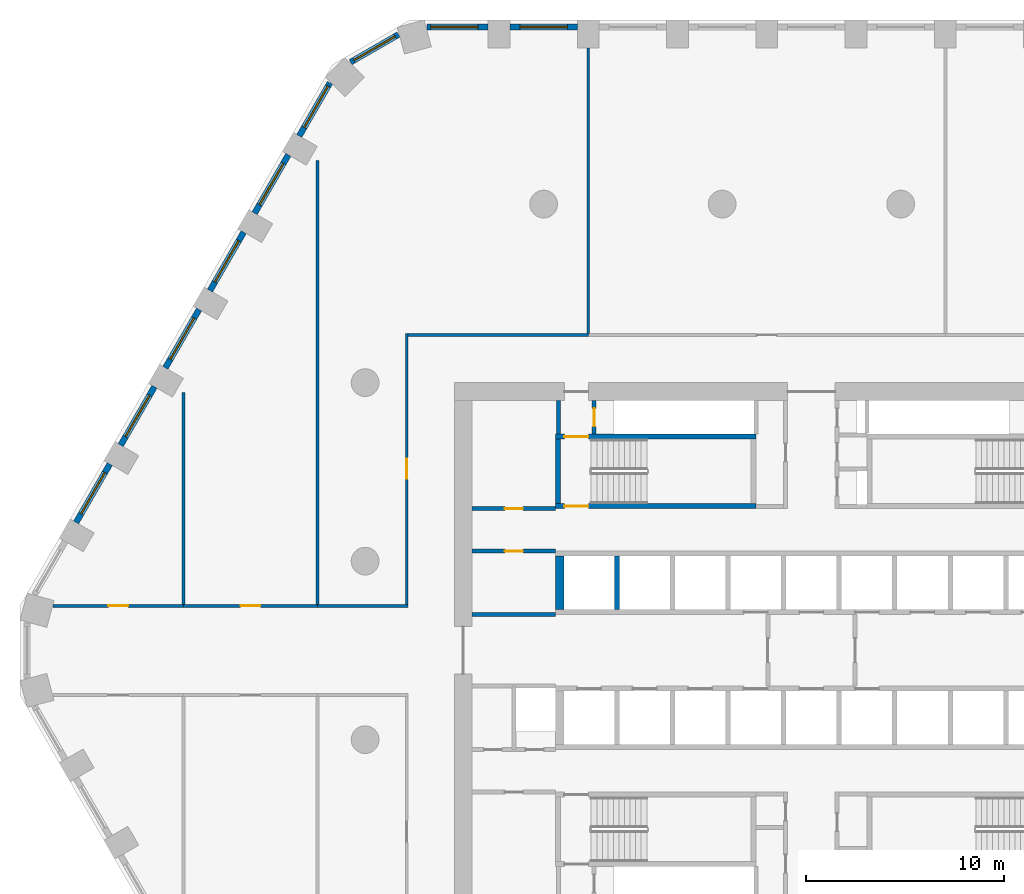
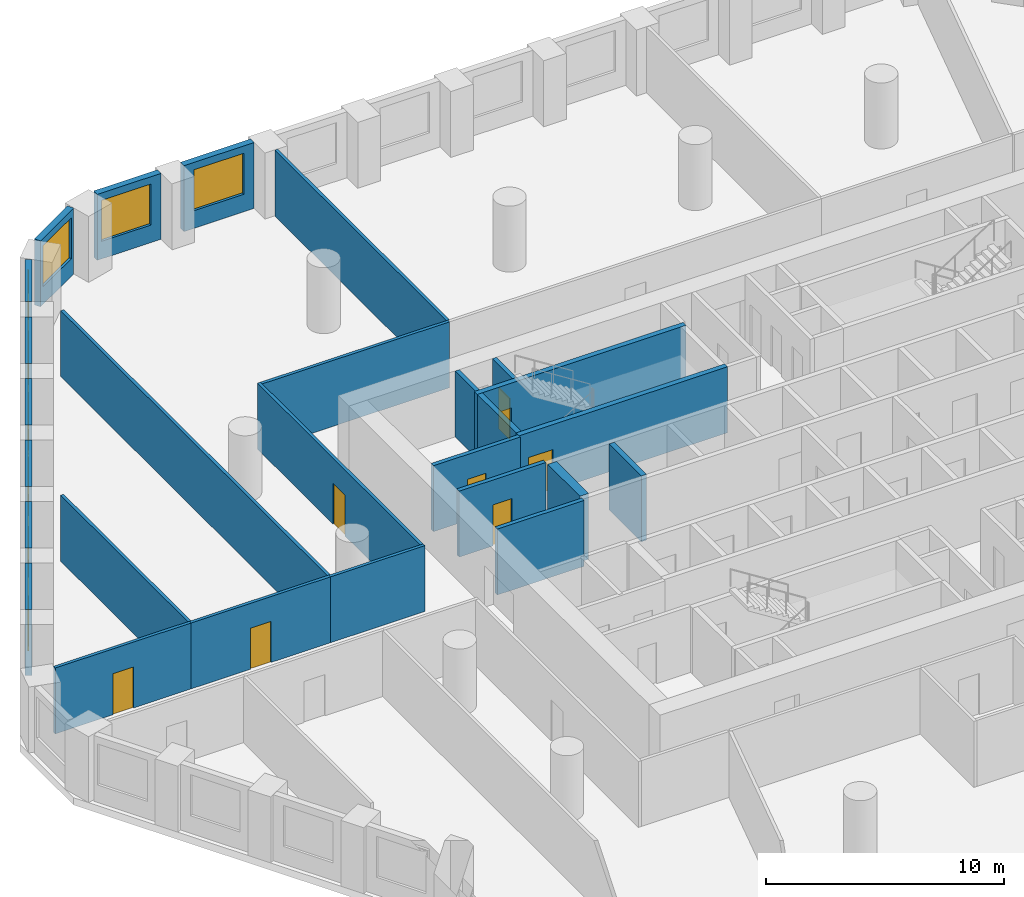
# One storey, part 5 of 10: 27 walls, 9 windows, 8 doors, 17 openings.
"""IFC4 building model written with IfcOpenShell, lengths in metres."""

from ifc_helpers import new_model, si_unit, direction, frame, frame_2d, origin, place, context, subcontext, project, spatial, polyline, rectangle, outline, extrude, material, layer, layer_set, type_object, element, fill, save


model = new_model("IFC4")

# Units and contexts
model_context = context("Model", 3, precision=1e-05, world=origin(), true_north=direction((0.0, 1.0)))
body_context = subcontext(model_context, "Body", "Model", "MODEL_VIEW")
ifc_project = project(units=[si_unit("LENGTHUNIT", "METRE"), si_unit("AREAUNIT", "SQUARE_METRE"), si_unit("VOLUMEUNIT", "CUBIC_METRE"), si_unit("PLANEANGLEUNIT", "RADIAN"), si_unit("MASSUNIT", "GRAM", prefix="KILO")], contexts=[model_context])

# Site, building, storey
site_placement = place(None, origin())
site = spatial("IfcSite", under=ifc_project, at=site_placement, CompositionType="ELEMENT")
building_placement = place(site_placement, origin())
building = spatial("IfcBuilding", under=site, at=building_placement, Name="Dhurran Vertical Campus", CompositionType="ELEMENT")
storey_placement = place(building_placement, frame((0.0, 0.0, 72.89990234375)))
storey = spatial("IfcBuildingStorey", under=building, at=storey_placement, Name="L17", CompositionType="ELEMENT", Elevation=72.89990234375)

# Wall, opening, window
ifc_material_1 = material(Name="Precast concrete C50/60", Category="concrete")
ifc_layer_1 = layer(ifc_material_1, 0.300048828125)
ifc_layer_set_1 = layer_set([ifc_layer_1], Name="Precast concrete C50/60")
wall_type_1 = type_object("IfcWallType", Name="Precast spandrel wall 300", PredefinedType="SOLIDWALL", material=ifc_layer_set_1)
wall_1_placement = place(storey_placement, frame((-11.800537109375, 31.4296875, 0.0), z_axis=(0.0, 0.0, 1.0), x_axis=(-1.0, 0.0, 0.0)))
wall_1 = element("IfcWall", 1, at=wall_1_placement, inside=storey, type_object=wall_type_1, Name="EW1 L17.33", PredefinedType="SOLIDWALL", context=body_context, shape_type="SweptSolid", body=[
    extrude(rectangle(XDim=3.39892578125, YDim=0.300048828125, at=frame_2d((1.699462890625, 0.0))), origin(), (0.0, 0.0, 1.0), 3.375),
])
opening_1_placement = place(wall_1_placement, frame((0.49951171875, 0.0, 0.89990234375)))
opening_1 = element("IfcOpeningElement", 2, at=opening_1_placement, cuts=wall_1, Name="Opening WT1", PredefinedType="OPENING", context=body_context, shape_type="SweptSolid", body=[
    extrude(rectangle(XDim=2.39990234375, YDim=2.10009765625, at=frame_2d((1.199951171875, 1.050048828125))), frame((0.0, 0.159912109375, 0.0), z_axis=(0.0, -1.0, 0.0), x_axis=(1.0, 0.0, 0.0)), (0.0, 0.0, 1.0), 0.320068359375),
])
ifc_material_2 = material(Name="Aluminium frame with solar-control glass", Category="aluminium")
window_type = type_object("IfcWindowType", Name="Punched window 2400 x 2100", PartitioningType="SINGLE_PANEL", PredefinedType="WINDOW", material=ifc_material_2)
window_1_placement = place(opening_1_placement, origin())
window_1 = element("IfcWindow", 3, at=window_1_placement, inside=storey, type_object=window_type, Name="WT1 L17.33", OverallHeight=2.10009765625, OverallWidth=2.39990234375, PartitioningType="SINGLE_PANEL", PredefinedType="WINDOW", context=body_context, shape_type="SweptSolid", body=[
    extrude(rectangle(XDim=2.39990234375, YDim=2.10009765625, at=frame_2d((1.199951171875, 1.050048828125))), frame((0.0, 0.030029296875, 0.0), z_axis=(0.0, -1.0, 0.0), x_axis=(1.0, 0.0, 0.0)), (0.0, 0.0, 1.0), 0.06005859375),
])
fill(opening_1, window_1)

wall_2_placement = place(storey_placement, frame((-16.300537109375, 31.4296875, 0.0), z_axis=(0.0, 0.0, 1.0), x_axis=(-1.0, 0.0, 0.0)))
wall_2 = element("IfcWall", 4, at=wall_2_placement, inside=storey, type_object=wall_type_1, Name="EW1 L17.34", PredefinedType="SOLIDWALL", context=body_context, shape_type="SweptSolid", body=[
    extrude(rectangle(XDim=3.090576171875, YDim=0.300048828125, at=frame_2d((1.54541015625, 0.0))), origin(), (0.0, 0.0, 1.0), 3.375),
])
opening_2_placement = place(wall_2_placement, frame((0.49951171875, 0.0, 0.89990234375)))
opening_2 = element("IfcOpeningElement", 5, at=opening_2_placement, cuts=wall_2, Name="Opening WT1", PredefinedType="OPENING", context=body_context, shape_type="SweptSolid", body=[
    extrude(rectangle(XDim=2.39990234375, YDim=2.10009765625, at=frame_2d((1.199951171875, 1.050048828125))), frame((0.0, 0.159912109375, 0.0), z_axis=(0.0, -1.0, 0.0), x_axis=(1.0, 0.0, 0.0)), (0.0, 0.0, 1.0), 0.320068359375),
])
window_2_placement = place(opening_2_placement, origin())
window_2 = element("IfcWindow", 6, at=window_2_placement, inside=storey, type_object=window_type, Name="WT1 L17.34", OverallHeight=2.10009765625, OverallWidth=2.39990234375, PartitioningType="SINGLE_PANEL", PredefinedType="WINDOW", context=body_context, shape_type="SweptSolid", body=[
    extrude(rectangle(XDim=2.39990234375, YDim=2.10009765625, at=frame_2d((1.199951171875, 1.050048828125))), frame((0.0, 0.030029296875, 0.0), z_axis=(0.0, -1.0, 0.0), x_axis=(1.0, 0.0, 0.0)), (0.0, 0.0, 1.0), 0.06005859375),
])
fill(opening_2, window_2)

wall_3_placement = place(storey_placement, frame((-20.81884765625, 31.047119140625, 0.0), z_axis=(0.0, 0.0, 1.0), x_axis=(-0.866020456713, -0.500008568482, 0.0)))
wall_3 = element("IfcWall", 7, at=wall_3_placement, inside=storey, type_object=wall_type_1, Name="EW1 L17.35", PredefinedType="SOLIDWALL", context=body_context, shape_type="SweptSolid", body=[
    extrude(rectangle(XDim=2.7822265625, YDim=0.300048828125, at=frame_2d((1.39111328125, 0.0))), origin(), (0.0, 0.0, 1.0), 3.375),
])
opening_3_placement = place(wall_3_placement, frame((0.191162109375, 0.0, 0.89990234375)))
opening_3 = element("IfcOpeningElement", 8, at=opening_3_placement, cuts=wall_3, Name="Opening WT1", PredefinedType="OPENING", context=body_context, shape_type="SweptSolid", body=[
    extrude(rectangle(XDim=2.39990234375, YDim=2.10009765625, at=frame_2d((1.199951171875, 1.050048828125))), frame((0.0, 0.159912109375, 0.0), z_axis=(0.0, -1.0, 0.0), x_axis=(1.0, 0.0, 0.0)), (0.0, 0.0, 1.0), 0.320068359375),
])
window_3_placement = place(opening_3_placement, origin())
window_3 = element("IfcWindow", 9, at=window_3_placement, inside=storey, type_object=window_type, Name="WT1 L17.35", OverallHeight=2.10009765625, OverallWidth=2.39990234375, PartitioningType="SINGLE_PANEL", PredefinedType="WINDOW", context=body_context, shape_type="SweptSolid", body=[
    extrude(rectangle(XDim=2.39990234375, YDim=2.10009765625, at=frame_2d((1.199951171875, 1.050048828125))), frame((0.0, 0.030029296875, 0.0), z_axis=(0.0, -1.0, 0.0), x_axis=(1.0, 0.0, 0.0)), (0.0, 0.0, 1.0), 0.06005859375),
])
fill(opening_3, window_3)

wall_4_placement = place(storey_placement, frame((-24.2734375, 28.611083984375, 0.0), z_axis=(0.0, 0.0, 1.0), x_axis=(-0.499995950774, -0.866027741594, 0.0)))
wall_4 = element("IfcWall", 10, at=wall_4_placement, inside=storey, type_object=wall_type_1, Name="EW1 L17.36", PredefinedType="SOLIDWALL", context=body_context, shape_type="SweptSolid", body=[
    extrude(rectangle(XDim=3.0908203125, YDim=0.300048828125, at=frame_2d((1.54541015625, 0.0))), origin(), (0.0, 0.0, 1.0), 3.375),
])
opening_4_placement = place(wall_4_placement, frame((0.191162109375, 0.0, 0.89990234375)))
opening_4 = element("IfcOpeningElement", 11, at=opening_4_placement, cuts=wall_4, Name="Opening WT1", PredefinedType="OPENING", context=body_context, shape_type="SweptSolid", body=[
    extrude(rectangle(XDim=2.39990234375, YDim=2.10009765625, at=frame_2d((1.199951171875, 1.050048828125))), frame((0.0, 0.159912109375, 0.0), z_axis=(0.0, -1.0, 0.0), x_axis=(1.0, 0.0, 0.0)), (0.0, 0.0, 1.0), 0.320068359375),
])
window_4_placement = place(opening_4_placement, origin())
window_4 = element("IfcWindow", 12, at=window_4_placement, inside=storey, type_object=window_type, Name="WT1 L17.36", OverallHeight=2.10009765625, OverallWidth=2.39990234375, PartitioningType="SINGLE_PANEL", PredefinedType="WINDOW", context=body_context, shape_type="SweptSolid", body=[
    extrude(rectangle(XDim=2.39990234375, YDim=2.10009765625, at=frame_2d((1.199951171875, 1.050048828125))), frame((0.0, 0.030029296875, 0.0), z_axis=(0.0, -1.0, 0.0), x_axis=(1.0, 0.0, 0.0)), (0.0, 0.0, 1.0), 0.06005859375),
])
fill(opening_4, window_4)

wall_5_placement = place(storey_placement, frame((-26.369384765625, 24.98095703125, 0.0), z_axis=(0.0, 0.0, 1.0), x_axis=(-0.499993955907, -0.866028893315, 0.0)))
wall_5 = element("IfcWall", 13, at=wall_5_placement, inside=storey, type_object=wall_type_1, Name="EW1 L17.37", PredefinedType="SOLIDWALL", context=body_context, shape_type="SweptSolid", body=[
    extrude(rectangle(XDim=3.39892578125, YDim=0.300048828125, at=frame_2d((1.699462890625, 0.0))), origin(), (0.0, 0.0, 1.0), 3.375),
])
opening_5_placement = place(wall_5_placement, frame((0.49951171875, 0.0, 0.89990234375)))
opening_5 = element("IfcOpeningElement", 14, at=opening_5_placement, cuts=wall_5, Name="Opening WT1", PredefinedType="OPENING", context=body_context, shape_type="SweptSolid", body=[
    extrude(rectangle(XDim=2.39990234375, YDim=2.10009765625, at=frame_2d((1.199951171875, 1.050048828125))), frame((0.0, 0.159912109375, 0.0), z_axis=(0.0, -1.0, 0.0), x_axis=(1.0, 0.0, 0.0)), (0.0, 0.0, 1.0), 0.320068359375),
])
window_5_placement = place(opening_5_placement, origin())
window_5 = element("IfcWindow", 15, at=window_5_placement, inside=storey, type_object=window_type, Name="WT1 L17.37", OverallHeight=2.10009765625, OverallWidth=2.39990234375, PartitioningType="SINGLE_PANEL", PredefinedType="WINDOW", context=body_context, shape_type="SweptSolid", body=[
    extrude(rectangle(XDim=2.39990234375, YDim=2.10009765625, at=frame_2d((1.199951171875, 1.050048828125))), frame((0.0, 0.030029296875, 0.0), z_axis=(0.0, -1.0, 0.0), x_axis=(1.0, 0.0, 0.0)), (0.0, 0.0, 1.0), 0.06005859375),
])
fill(opening_5, window_5)

wall_6_placement = place(storey_placement, frame((-28.619384765625, 21.083740234375, 0.0), z_axis=(0.0, 0.0, 1.0), x_axis=(-0.499993955907, -0.866028893315, 0.0)))
wall_6 = element("IfcWall", 16, at=wall_6_placement, inside=storey, type_object=wall_type_1, Name="EW1 L17.38", PredefinedType="SOLIDWALL", context=body_context, shape_type="SweptSolid", body=[
    extrude(rectangle(XDim=3.39892578125, YDim=0.300048828125, at=frame_2d((1.699462890625, 0.0))), origin(), (0.0, 0.0, 1.0), 3.375),
])
opening_6_placement = place(wall_6_placement, frame((0.49951171875, 0.0, 0.89990234375)))
opening_6 = element("IfcOpeningElement", 17, at=opening_6_placement, cuts=wall_6, Name="Opening WT1", PredefinedType="OPENING", context=body_context, shape_type="SweptSolid", body=[
    extrude(rectangle(XDim=2.39990234375, YDim=2.10009765625, at=frame_2d((1.199951171875, 1.050048828125))), frame((0.0, 0.159912109375, 0.0), z_axis=(0.0, -1.0, 0.0), x_axis=(1.0, 0.0, 0.0)), (0.0, 0.0, 1.0), 0.320068359375),
])
window_6_placement = place(opening_6_placement, origin())
window_6 = element("IfcWindow", 18, at=window_6_placement, inside=storey, type_object=window_type, Name="WT1 L17.38", OverallHeight=2.10009765625, OverallWidth=2.39990234375, PartitioningType="SINGLE_PANEL", PredefinedType="WINDOW", context=body_context, shape_type="SweptSolid", body=[
    extrude(rectangle(XDim=2.39990234375, YDim=2.10009765625, at=frame_2d((1.199951171875, 1.050048828125))), frame((0.0, 0.030029296875, 0.0), z_axis=(0.0, -1.0, 0.0), x_axis=(1.0, 0.0, 0.0)), (0.0, 0.0, 1.0), 0.06005859375),
])
fill(opening_6, window_6)

wall_7_placement = place(storey_placement, frame((-30.869384765625, 17.186767578125, 0.0), z_axis=(0.0, 0.0, 1.0), x_axis=(-0.499993955907, -0.866028893315, 0.0)))
wall_7 = element("IfcWall", 19, at=wall_7_placement, inside=storey, type_object=wall_type_1, Name="EW1 L17.39", PredefinedType="SOLIDWALL", context=body_context, shape_type="SweptSolid", body=[
    extrude(rectangle(XDim=3.39892578125, YDim=0.300048828125, at=frame_2d((1.699462890625, 0.0))), origin(), (0.0, 0.0, 1.0), 3.375),
])
opening_7_placement = place(wall_7_placement, frame((0.49951171875, 0.0, 0.89990234375)))
opening_7 = element("IfcOpeningElement", 20, at=opening_7_placement, cuts=wall_7, Name="Opening WT1", PredefinedType="OPENING", context=body_context, shape_type="SweptSolid", body=[
    extrude(rectangle(XDim=2.39990234375, YDim=2.10009765625, at=frame_2d((1.199951171875, 1.050048828125))), frame((0.0, 0.159912109375, 0.0), z_axis=(0.0, -1.0, 0.0), x_axis=(1.0, 0.0, 0.0)), (0.0, 0.0, 1.0), 0.320068359375),
])
window_7_placement = place(opening_7_placement, origin())
window_7 = element("IfcWindow", 21, at=window_7_placement, inside=storey, type_object=window_type, Name="WT1 L17.39", OverallHeight=2.10009765625, OverallWidth=2.39990234375, PartitioningType="SINGLE_PANEL", PredefinedType="WINDOW", context=body_context, shape_type="SweptSolid", body=[
    extrude(rectangle(XDim=2.39990234375, YDim=2.10009765625, at=frame_2d((1.199951171875, 1.050048828125))), frame((0.0, 0.030029296875, 0.0), z_axis=(0.0, -1.0, 0.0), x_axis=(1.0, 0.0, 0.0)), (0.0, 0.0, 1.0), 0.06005859375),
])
fill(opening_7, window_7)

wall_8_placement = place(storey_placement, frame((-33.119384765625, 13.28955078125, 0.0), z_axis=(0.0, 0.0, 1.0), x_axis=(-0.499993955907, -0.866028893315, 0.0)))
wall_8 = element("IfcWall", 22, at=wall_8_placement, inside=storey, type_object=wall_type_1, Name="EW1 L17.40", PredefinedType="SOLIDWALL", context=body_context, shape_type="SweptSolid", body=[
    extrude(rectangle(XDim=3.39892578125, YDim=0.300048828125, at=frame_2d((1.699462890625, 0.0))), origin(), (0.0, 0.0, 1.0), 3.375),
])
opening_8_placement = place(wall_8_placement, frame((0.49951171875, 0.0, 0.89990234375)))
opening_8 = element("IfcOpeningElement", 23, at=opening_8_placement, cuts=wall_8, Name="Opening WT1", PredefinedType="OPENING", context=body_context, shape_type="SweptSolid", body=[
    extrude(rectangle(XDim=2.39990234375, YDim=2.10009765625, at=frame_2d((1.199951171875, 1.050048828125))), frame((0.0, 0.159912109375, 0.0), z_axis=(0.0, -1.0, 0.0), x_axis=(1.0, 0.0, 0.0)), (0.0, 0.0, 1.0), 0.320068359375),
])
window_8_placement = place(opening_8_placement, origin())
window_8 = element("IfcWindow", 24, at=window_8_placement, inside=storey, type_object=window_type, Name="WT1 L17.40", OverallHeight=2.10009765625, OverallWidth=2.39990234375, PartitioningType="SINGLE_PANEL", PredefinedType="WINDOW", context=body_context, shape_type="SweptSolid", body=[
    extrude(rectangle(XDim=2.39990234375, YDim=2.10009765625, at=frame_2d((1.199951171875, 1.050048828125))), frame((0.0, 0.030029296875, 0.0), z_axis=(0.0, -1.0, 0.0), x_axis=(1.0, 0.0, 0.0)), (0.0, 0.0, 1.0), 0.06005859375),
])
fill(opening_8, window_8)

wall_9_placement = place(storey_placement, frame((-35.369384765625, 9.392578125, 0.0), z_axis=(0.0, 0.0, 1.0), x_axis=(-0.499993955907, -0.866028893315, 0.0)))
wall_9 = element("IfcWall", 25, at=wall_9_placement, inside=storey, type_object=wall_type_1, Name="EW1 L17.41", PredefinedType="SOLIDWALL", context=body_context, shape_type="SweptSolid", body=[
    extrude(rectangle(XDim=3.39892578125, YDim=0.300048828125, at=frame_2d((1.699462890625, 0.0))), origin(), (0.0, 0.0, 1.0), 3.375),
])
opening_9_placement = place(wall_9_placement, frame((0.49951171875, 0.0, 0.89990234375)))
opening_9 = element("IfcOpeningElement", 26, at=opening_9_placement, cuts=wall_9, Name="Opening WT1", PredefinedType="OPENING", context=body_context, shape_type="SweptSolid", body=[
    extrude(rectangle(XDim=2.39990234375, YDim=2.10009765625, at=frame_2d((1.199951171875, 1.050048828125))), frame((0.0, 0.159912109375, 0.0), z_axis=(0.0, -1.0, 0.0), x_axis=(1.0, 0.0, 0.0)), (0.0, 0.0, 1.0), 0.320068359375),
])
window_9_placement = place(opening_9_placement, origin())
window_9 = element("IfcWindow", 27, at=window_9_placement, inside=storey, type_object=window_type, Name="WT1 L17.41", OverallHeight=2.10009765625, OverallWidth=2.39990234375, PartitioningType="SINGLE_PANEL", PredefinedType="WINDOW", context=body_context, shape_type="SweptSolid", body=[
    extrude(rectangle(XDim=2.39990234375, YDim=2.10009765625, at=frame_2d((1.199951171875, 1.050048828125))), frame((0.0, 0.030029296875, 0.0), z_axis=(0.0, -1.0, 0.0), x_axis=(1.0, 0.0, 0.0)), (0.0, 0.0, 1.0), 0.06005859375),
])
fill(opening_9, window_9)

# Wall
ifc_material_3 = material(Name="Fire-rated masonry blockwork", Category="masonry")
ifc_layer_2 = layer(ifc_material_3, 0.199951171875)
ifc_layer_set_2 = layer_set([ifc_layer_2], Name="Fire-rated masonry blockwork")
wall_type_2 = type_object("IfcWallType", Name="co-FIRE-PARTITION-200", PredefinedType="PARTITIONING", material=ifc_layer_set_2)
wall_10_placement = place(storey_placement, frame((-12.75, 10.89990234375, 0.0), z_axis=(0.0, 0.0, 1.0), x_axis=(0.0, 1.0, 0.0)))
element("IfcWall", 28, at=wall_10_placement, inside=storey, type_object=wall_type_2, Name="Core partition pass-ST1-o L17", PredefinedType="PARTITIONING", context=body_context, shape_type="SweptSolid", body=[
    extrude(rectangle(XDim=1.7001953125, YDim=0.199951171875, at=frame_2d((0.85009765625, 0.0))), origin(), (0.0, 0.0, 1.0), 3.375),
])

# Wall, opening, door
wall_11_placement = place(storey_placement, frame((-10.949951171875, 10.89990234375, 0.0), z_axis=(0.0, 0.0, 1.0), x_axis=(0.0, 1.0, 0.0)))
wall_11 = element("IfcWall", 29, at=wall_11_placement, inside=storey, type_object=wall_type_2, Name="Core partition pass-ST1-i L17", PredefinedType="PARTITIONING", context=body_context, shape_type="SweptSolid", body=[
    extrude(rectangle(XDim=1.7001953125, YDim=0.199951171875, at=frame_2d((0.85009765625, 0.0))), origin(), (0.0, 0.0, 1.0), 3.375),
])
opening_10_placement = place(wall_11_placement, frame((0.39990234375, 0.0, 0.0)))
opening_10 = element("IfcOpeningElement", 30, at=opening_10_placement, cuts=wall_11, Name="Opening T04-C9", PredefinedType="OPENING", context=body_context, shape_type="SweptSolid", body=[
    extrude(rectangle(XDim=0.89990234375, YDim=2.10009765625, at=frame_2d((0.449951171875, 1.050048828125))), frame((0.0, 0.10986328125, 0.0), z_axis=(0.0, -1.0, 0.0), x_axis=(1.0, 0.0, 0.0)), (0.0, 0.0, 1.0), 0.219970703125),
])
ifc_material_4 = material(Name="Fire-rated timber door set", Category="wood")
door_type_1 = type_object("IfcDoorType", Name="co-D-ROOM 900x2100", OperationType="SINGLE_SWING_LEFT", PredefinedType="DOOR", material=ifc_material_4)
door_1_placement = place(opening_10_placement, origin())
door_1 = element("IfcDoor", 31, at=door_1_placement, inside=storey, type_object=door_type_1, Name="Riser room door L17", OperationType="SINGLE_SWING_LEFT", OverallHeight=2.10009765625, OverallWidth=0.89990234375, PredefinedType="DOOR", context=body_context, shape_type="SweptSolid", body=[
    extrude(rectangle(XDim=0.89990234375, YDim=2.10009765625, at=frame_2d((0.449951171875, 1.050048828125))), frame((0.0, 0.02490234375, 0.0), z_axis=(0.0, -1.0, 0.0), x_axis=(1.0, 0.0, 0.0)), (0.0, 0.0, 1.0), 0.050048828125),
])
fill(opening_10, door_1)

wall_12_placement = place(storey_placement, frame((-17.10009765625, 7.14990234375, 0.0), z_axis=(0.0, 0.0, 1.0), x_axis=(1.0, 0.0, 0.0)))
wall_12 = element("IfcWall", 32, at=wall_12_placement, inside=storey, type_object=wall_type_2, Name="Core partition en-NW-w L17", PredefinedType="PARTITIONING", context=body_context, shape_type="SweptSolid", body=[
    extrude(rectangle(XDim=4.2001953125, YDim=0.199951171875, at=frame_2d((2.10009765625, 0.0))), origin(), (0.0, 0.0, 1.0), 3.375),
])
opening_11_placement = place(wall_12_placement, frame((1.64990234375, 0.0, 0.0)))
opening_11 = element("IfcOpeningElement", 33, at=opening_11_placement, cuts=wall_12, Name="Opening T04-C13", PredefinedType="OPENING", context=body_context, shape_type="SweptSolid", body=[
    extrude(rectangle(XDim=0.89990234375, YDim=2.10009765625, at=frame_2d((0.449951171875, 1.050048828125))), frame((0.0, 0.10986328125, 0.0), z_axis=(0.0, -1.0, 0.0), x_axis=(1.0, 0.0, 0.0)), (0.0, 0.0, 1.0), 0.219970703125),
])
door_2_placement = place(opening_11_placement, origin())
door_2 = element("IfcDoor", 34, at=door_2_placement, inside=storey, type_object=door_type_1, Name="Store door L17", OperationType="SINGLE_SWING_LEFT", OverallHeight=2.10009765625, OverallWidth=0.89990234375, PredefinedType="DOOR", context=body_context, shape_type="SweptSolid", body=[
    extrude(rectangle(XDim=0.89990234375, YDim=2.10009765625, at=frame_2d((0.449951171875, 1.050048828125))), frame((0.0, 0.02490234375, 0.0), z_axis=(0.0, -1.0, 0.0), x_axis=(1.0, 0.0, 0.0)), (0.0, 0.0, 1.0), 0.050048828125),
])
fill(opening_11, door_2)

wall_13_placement = place(storey_placement, frame((-17.10009765625, 5.0, 0.0), z_axis=(0.0, 0.0, 1.0), x_axis=(1.0, 0.0, 0.0)))
wall_13 = element("IfcWall", 35, at=wall_13_placement, inside=storey, type_object=wall_type_2, Name="Core partition es-NW-w L17", PredefinedType="PARTITIONING", context=body_context, shape_type="SweptSolid", body=[
    extrude(rectangle(XDim=4.2001953125, YDim=0.199951171875, at=frame_2d((2.10009765625, 0.0))), origin(), (0.0, 0.0, 1.0), 3.375),
])
opening_12_placement = place(wall_13_placement, frame((1.64990234375, 0.0, 0.0)))
opening_12 = element("IfcOpeningElement", 36, at=opening_12_placement, cuts=wall_13, Name="Opening T04-C14", PredefinedType="OPENING", context=body_context, shape_type="SweptSolid", body=[
    extrude(rectangle(XDim=0.89990234375, YDim=2.10009765625, at=frame_2d((0.449951171875, 1.050048828125))), frame((0.0, 0.10986328125, 0.0), z_axis=(0.0, -1.0, 0.0), x_axis=(1.0, 0.0, 0.0)), (0.0, 0.0, 1.0), 0.219970703125),
])
door_3_placement = place(opening_12_placement, origin())
door_3 = element("IfcDoor", 37, at=door_3_placement, inside=storey, type_object=door_type_1, Name="Print room door L17", OperationType="SINGLE_SWING_LEFT", OverallHeight=2.10009765625, OverallWidth=0.89990234375, PredefinedType="DOOR", context=body_context, shape_type="SweptSolid", body=[
    extrude(rectangle(XDim=0.89990234375, YDim=2.10009765625, at=frame_2d((0.449951171875, 1.050048828125))), frame((0.0, 0.02490234375, 0.0), z_axis=(0.0, -1.0, 0.0), x_axis=(1.0, 0.0, 0.0)), (0.0, 0.0, 1.0), 0.050048828125),
])
fill(opening_12, door_3)

# Walls
wall_14_placement = place(storey_placement, frame((-17.10009765625, 1.800048828125, 0.0), z_axis=(0.0, 0.0, 1.0), x_axis=(1.0, 0.0, 0.0)))
element("IfcWall", 38, at=wall_14_placement, inside=storey, type_object=wall_type_2, Name="Core partition es-NW-l L17", PredefinedType="PARTITIONING", context=body_context, shape_type="SweptSolid", body=[
    extrude(rectangle(XDim=4.2001953125, YDim=0.199951171875, at=frame_2d((2.10009765625, 0.0))), origin(), (0.0, 0.0, 1.0), 3.375),
])
ifc_material_5 = material(Name="Concrete C50/60", Category="concrete")
ifc_layer_3 = layer(ifc_material_5, 0.25)
ifc_layer_set_3 = layer_set([ifc_layer_3], Name="Concrete C50/60")
wall_type_3 = type_object("IfcWallType", Name="co-SHAFT-MASS-250", PredefinedType="SHEAR", material=ifc_layer_set_3)
wall_15_placement = place(storey_placement, origin())
element("IfcWall", 39, at=wall_15_placement, inside=storey, type_object=wall_type_3, Name="Lift shaft wall N L17 2", PredefinedType="SHEAR", context=body_context, shape_type="SweptSolid", body=[
    extrude(outline(polyline([(-12.89990234375, 2.050048828125), (-12.47509765625, 2.050048828125), (-12.47509765625, 4.75), (-12.89990234375, 4.75), (-12.89990234375, 2.050048828125)])), origin(), (0.0, 0.0, 1.0), 3.375),
])
wall_16_placement = place(storey_placement, origin())
element("IfcWall", 40, at=wall_16_placement, inside=storey, type_object=wall_type_3, Name="Lift shaft wall N L17 3", PredefinedType="SHEAR", context=body_context, shape_type="SweptSolid", body=[
    extrude(outline(polyline([(-9.925048828125, 2.050048828125), (-9.675048828125, 2.050048828125), (-9.675048828125, 4.75), (-9.925048828125, 4.75), (-9.925048828125, 2.050048828125)])), origin(), (0.0, 0.0, 1.0), 3.375),
])

# Wall, opening, door
ifc_material_6 = material(Name="Concrete C40/50", Category="concrete")
ifc_layer_4 = layer(ifc_material_6, 0.25)
ifc_layer_set_4 = layer_set([ifc_layer_4], Name="Concrete C40/50")
wall_type_4 = type_object("IfcWallType", Name="co-STAIR-WALL-250", PredefinedType="SHEAR", material=ifc_layer_set_4)
wall_17_placement = place(storey_placement, frame((-12.89990234375, 7.27490234375, 0.0), z_axis=(0.0, 0.0, 1.0), x_axis=(1.0, 0.0, 0.0)))
wall_17 = element("IfcWall", 41, at=wall_17_placement, inside=storey, type_object=wall_type_4, Name="Stair ST1 enclosure wall L17", PredefinedType="SHEAR", context=body_context, shape_type="SweptSolid", body=[
    extrude(rectangle(XDim=10.099853515625, YDim=0.25, at=frame_2d((5.0498046875, 0.0))), origin(), (0.0, 0.0, 1.0), 3.375),
])
opening_13_placement = place(wall_17_placement, frame((0.449951171875, 0.0, 0.0)))
opening_13 = element("IfcOpeningElement", 42, at=opening_13_placement, cuts=wall_17, Name="Opening SD1", PredefinedType="OPENING", context=body_context, shape_type="SweptSolid", body=[
    extrude(rectangle(XDim=1.199951171875, YDim=2.10009765625, at=frame_2d((0.60009765625, 1.050048828125))), frame((0.0, 0.135009765625, 0.0), z_axis=(0.0, -1.0, 0.0), x_axis=(1.0, 0.0, 0.0)), (0.0, 0.0, 1.0), 0.27001953125),
])
ifc_material_7 = material(Name="Fire-rated steel door set", Category="steel")
door_type_2 = type_object("IfcDoorType", Name="co-D-STAIR 1200x2100", OperationType="SINGLE_SWING_LEFT", PredefinedType="DOOR", material=ifc_material_7)
door_4_placement = place(opening_13_placement, origin())
door_4 = element("IfcDoor", 43, at=door_4_placement, inside=storey, type_object=door_type_2, Name="Stair ST1 door L17", OperationType="SINGLE_SWING_LEFT", OverallHeight=2.10009765625, OverallWidth=1.199951171875, PredefinedType="DOOR", context=body_context, shape_type="SweptSolid", body=[
    extrude(rectangle(XDim=1.199951171875, YDim=2.10009765625, at=frame_2d((0.60009765625, 1.050048828125))), frame((0.0, 0.02490234375, 0.0), z_axis=(0.0, -1.0, 0.0), x_axis=(1.0, 0.0, 0.0)), (0.0, 0.0, 1.0), 0.050048828125),
])
fill(opening_13, door_4)

wall_18_placement = place(storey_placement, frame((-12.89990234375, 10.77490234375, 0.0), z_axis=(0.0, 0.0, 1.0), x_axis=(1.0, 0.0, 0.0)))
wall_18 = element("IfcWall", 44, at=wall_18_placement, inside=storey, type_object=wall_type_4, Name="Stair ST1 enclosure wall L17", PredefinedType="SHEAR", context=body_context, shape_type="SweptSolid", body=[
    extrude(rectangle(XDim=10.099853515625, YDim=0.25, at=frame_2d((5.0498046875, 0.0))), origin(), (0.0, 0.0, 1.0), 3.375),
])
opening_14_placement = place(wall_18_placement, frame((0.449951171875, 0.0, 0.0)))
opening_14 = element("IfcOpeningElement", 45, at=opening_14_placement, cuts=wall_18, Name="Opening XS1", PredefinedType="OPENING", context=body_context, shape_type="SweptSolid", body=[
    extrude(rectangle(XDim=1.199951171875, YDim=2.10009765625, at=frame_2d((0.60009765625, 1.050048828125))), frame((0.0, 0.135009765625, 0.0), z_axis=(0.0, -1.0, 0.0), x_axis=(1.0, 0.0, 0.0)), (0.0, 0.0, 1.0), 0.27001953125),
])
ifc_material_8 = material(Name="Fire-rated steel door set", Category="steel")
door_type_3 = type_object("IfcDoorType", Name="co-D-STAIR-EXIT 1200x2100", OperationType="SINGLE_SWING_RIGHT", PredefinedType="DOOR", material=ifc_material_8)
door_5_placement = place(opening_14_placement, origin())
door_5 = element("IfcDoor", 46, at=door_5_placement, inside=storey, type_object=door_type_3, Name="Stair ST1 discharge door L17", OperationType="SINGLE_SWING_RIGHT", OverallHeight=2.10009765625, OverallWidth=1.199951171875, PredefinedType="DOOR", context=body_context, shape_type="SweptSolid", body=[
    extrude(rectangle(XDim=1.199951171875, YDim=2.10009765625, at=frame_2d((0.60009765625, 1.050048828125))), frame((0.0, 0.02490234375, 0.0), z_axis=(0.0, -1.0, 0.0), x_axis=(1.0, 0.0, 0.0)), (0.0, 0.0, 1.0), 0.050048828125),
])
fill(opening_14, door_5)

# Wall
wall_19_placement = place(storey_placement, frame((-12.77490234375, 7.39990234375, 0.0), z_axis=(0.0, 0.0, 1.0), x_axis=(0.0, 1.0, 0.0)))
element("IfcWall", 47, at=wall_19_placement, inside=storey, type_object=wall_type_4, Name="Stair ST1 enclosure wall L17", PredefinedType="SHEAR", context=body_context, shape_type="SweptSolid", body=[
    extrude(rectangle(XDim=3.25, YDim=0.25, at=frame_2d((1.625, 0.0))), origin(), (0.0, 0.0, 1.0), 3.375),
])

# Wall, opening, door
ifc_material_9 = material(Name="Gypsum board corridor wall on steel studs", Category="steel")
ifc_layer_5 = layer(ifc_material_9, 0.14990234375)
ifc_layer_set_5 = layer_set([ifc_layer_5], Name="Gypsum board corridor wall on steel studs")
wall_type_5 = type_object("IfcWallType", Name="fl-CW-150 corridor wall", PredefinedType="PARTITIONING", material=ifc_layer_set_5)
wall_20_placement = place(storey_placement, frame((-38.23291015625, 2.25, 0.0), z_axis=(0.0, 0.0, 1.0), x_axis=(1.0, 0.0, 0.0)))
wall_20 = element("IfcWall", 48, at=wall_20_placement, inside=storey, type_object=wall_type_5, Name="Partition 17-02", PredefinedType="PARTITIONING", context=body_context, shape_type="SweptSolid", body=[
    extrude(rectangle(XDim=6.5830078125, YDim=0.14990234375, at=frame_2d((3.29150390625, 0.0))), origin(), (0.0, 0.0, 1.0), 3.375),
])
opening_15_placement = place(wall_20_placement, frame((2.79150390625, 0.0, 0.0)))
opening_15 = element("IfcOpeningElement", 49, at=opening_15_placement, cuts=wall_20, Name="Opening T04.02", PredefinedType="OPENING", context=body_context, shape_type="SweptSolid", body=[
    extrude(rectangle(XDim=1.0, YDim=2.10009765625, at=frame_2d((0.5, 1.050048828125))), frame((0.0, 0.0849609375, 0.0), z_axis=(0.0, -1.0, 0.0), x_axis=(1.0, 0.0, 0.0)), (0.0, 0.0, 1.0), 0.169921875),
])
ifc_material_10 = material(Name="Solid-core timber door set, fire-rated", Category="wood")
door_type_4 = type_object("IfcDoorType", Name="fl-D-1000x2100", OperationType="SINGLE_SWING_LEFT", PredefinedType="DOOR", material=ifc_material_10)
door_6_placement = place(opening_15_placement, origin())
door_6 = element("IfcDoor", 50, at=door_6_placement, inside=storey, type_object=door_type_4, Name="Door 17.02", OperationType="SINGLE_SWING_RIGHT", OverallHeight=2.10009765625, OverallWidth=1.0, PredefinedType="DOOR", context=body_context, shape_type="SweptSolid", body=[
    extrude(rectangle(XDim=1.0, YDim=2.10009765625, at=frame_2d((0.5, 1.050048828125))), frame((0.0, 0.02490234375, 0.0), z_axis=(0.0, -1.0, 0.0), x_axis=(1.0, 0.0, 0.0)), (0.0, 0.0, 1.0), 0.050048828125),
])
fill(opening_15, door_6)

wall_21_placement = place(storey_placement, frame((-31.64990234375, 2.25, 0.0), z_axis=(0.0, 0.0, 1.0), x_axis=(1.0, 0.0, 0.0)))
wall_21 = element("IfcWall", 51, at=wall_21_placement, inside=storey, type_object=wall_type_5, Name="Partition 17-06", PredefinedType="PARTITIONING", context=body_context, shape_type="SweptSolid", body=[
    extrude(rectangle(XDim=6.75, YDim=0.14990234375, at=frame_2d((3.375, 0.0))), origin(), (0.0, 0.0, 1.0), 3.375),
])
opening_16_placement = place(wall_21_placement, frame((2.875, 0.0, 0.0)))
opening_16 = element("IfcOpeningElement", 52, at=opening_16_placement, cuts=wall_21, Name="Opening T04.04", PredefinedType="OPENING", context=body_context, shape_type="SweptSolid", body=[
    extrude(rectangle(XDim=1.0, YDim=2.10009765625, at=frame_2d((0.5, 1.050048828125))), frame((0.0, 0.0849609375, 0.0), z_axis=(0.0, -1.0, 0.0), x_axis=(1.0, 0.0, 0.0)), (0.0, 0.0, 1.0), 0.169921875),
])
door_7_placement = place(opening_16_placement, origin())
door_7 = element("IfcDoor", 53, at=door_7_placement, inside=storey, type_object=door_type_4, Name="Door 17.04", OperationType="SINGLE_SWING_RIGHT", OverallHeight=2.10009765625, OverallWidth=1.0, PredefinedType="DOOR", context=body_context, shape_type="SweptSolid", body=[
    extrude(rectangle(XDim=1.0, YDim=2.10009765625, at=frame_2d((0.5, 1.050048828125))), frame((0.0, 0.02490234375, 0.0), z_axis=(0.0, -1.0, 0.0), x_axis=(1.0, 0.0, 0.0)), (0.0, 0.0, 1.0), 0.050048828125),
])
fill(opening_16, door_7)

# Wall
wall_22_placement = place(storey_placement, frame((-24.89990234375, 2.25, 0.0), z_axis=(0.0, 0.0, 1.0), x_axis=(1.0, 0.0, 0.0)))
element("IfcWall", 54, at=wall_22_placement, inside=storey, type_object=wall_type_5, Name="Partition 17-10", PredefinedType="PARTITIONING", context=body_context, shape_type="SweptSolid", body=[
    extrude(rectangle(XDim=4.574951171875, YDim=0.14990234375, at=frame_2d((2.28759765625, 0.0))), origin(), (0.0, 0.0, 1.0), 3.375),
])

# Wall, opening, door
wall_23_placement = place(storey_placement, frame((-20.39990234375, 15.97509765625, 0.0), z_axis=(0.0, 0.0, 1.0), x_axis=(0.0, -1.0, 0.0)))
wall_23 = element("IfcWall", 55, at=wall_23_placement, inside=storey, type_object=wall_type_5, Name="Partition 17-13", PredefinedType="PARTITIONING", context=body_context, shape_type="SweptSolid", body=[
    extrude(rectangle(XDim=13.650146484375, YDim=0.14990234375, at=frame_2d((6.8251953125, 0.0))), origin(), (0.0, 0.0, 1.0), 3.375),
])
opening_17_placement = place(wall_23_placement, frame((6.324951171875, 0.0, 0.0)))
opening_17 = element("IfcOpeningElement", 56, at=opening_17_placement, cuts=wall_23, Name="Opening T04.06", PredefinedType="OPENING", context=body_context, shape_type="SweptSolid", body=[
    extrude(rectangle(XDim=1.0, YDim=2.10009765625, at=frame_2d((0.5, 1.050048828125))), frame((0.0, 0.0849609375, 0.0), z_axis=(0.0, -1.0, 0.0), x_axis=(1.0, 0.0, 0.0)), (0.0, 0.0, 1.0), 0.169921875),
])
door_8_placement = place(opening_17_placement, origin())
door_8 = element("IfcDoor", 57, at=door_8_placement, inside=storey, type_object=door_type_4, Name="Door 17.06", OperationType="SINGLE_SWING_LEFT", OverallHeight=2.10009765625, OverallWidth=1.0, PredefinedType="DOOR", context=body_context, shape_type="SweptSolid", body=[
    extrude(rectangle(XDim=1.0, YDim=2.10009765625, at=frame_2d((0.5, 1.050048828125))), frame((0.0, 0.02490234375, 0.0), z_axis=(0.0, -1.0, 0.0), x_axis=(1.0, 0.0, 0.0)), (0.0, 0.0, 1.0), 0.050048828125),
])
fill(opening_17, door_8)

# Walls
wall_24_placement = place(storey_placement, frame((-11.25, 15.89990234375, 0.0), z_axis=(0.0, 0.0, 1.0), x_axis=(-1.0, 0.0, 0.0)))
element("IfcWall", 58, at=wall_24_placement, inside=storey, type_object=wall_type_5, Name="Partition 17-14", PredefinedType="PARTITIONING", context=body_context, shape_type="SweptSolid", body=[
    extrude(rectangle(XDim=9.074951171875, YDim=0.14990234375, at=frame_2d((4.53759765625, 0.0))), origin(), (0.0, 0.0, 1.0), 3.375),
])
ifc_material_11 = material(Name="Gypsum board partition on steel studs", Category="steel")
ifc_layer_6 = layer(ifc_material_11, 0.14990234375)
ifc_layer_set_6 = layer_set([ifc_layer_6], Name="Gypsum board partition on steel studs")
wall_type_6 = type_object("IfcWallType", Name="fl-PW-150 fixed partition", PredefinedType="PARTITIONING", material=ifc_layer_set_6)
wall_25_placement = place(storey_placement, frame((-31.64990234375, 13.001953125, 0.0), z_axis=(0.0, 0.0, 1.0), x_axis=(0.0, -1.0, 0.0)))
element("IfcWall", 59, at=wall_25_placement, inside=storey, type_object=wall_type_6, Name="Partition 17-05", PredefinedType="PARTITIONING", context=body_context, shape_type="SweptSolid", body=[
    extrude(rectangle(XDim=10.677001953125, YDim=0.14990234375, at=frame_2d((5.33837890625, 0.0))), origin(), (0.0, 0.0, 1.0), 3.375),
])
wall_26_placement = place(storey_placement, frame((-24.89990234375, 24.693115234375, 0.0), z_axis=(0.0, 0.0, 1.0), x_axis=(0.0, -1.0, 0.0)))
element("IfcWall", 60, at=wall_26_placement, inside=storey, type_object=wall_type_6, Name="Partition 17-09", PredefinedType="PARTITIONING", context=body_context, shape_type="SweptSolid", body=[
    extrude(rectangle(XDim=22.3681640625, YDim=0.14990234375, at=frame_2d((11.18408203125, 0.0))), origin(), (0.0, 0.0, 1.0), 3.375),
])
wall_27_placement = place(storey_placement, frame((-11.25, 30.35986328125, 0.0), z_axis=(0.0, 0.0, 1.0), x_axis=(0.0, -1.0, 0.0)))
element("IfcWall", 61, at=wall_27_placement, inside=storey, type_object=wall_type_6, Name="Partition 17-17", PredefinedType="PARTITIONING", context=body_context, shape_type="SweptSolid", body=[
    extrude(rectangle(XDim=14.384765625, YDim=0.14990234375, at=frame_2d((7.1923828125, 0.0))), origin(), (0.0, 0.0, 1.0), 3.375),
])

save(model, "model.ifc")
